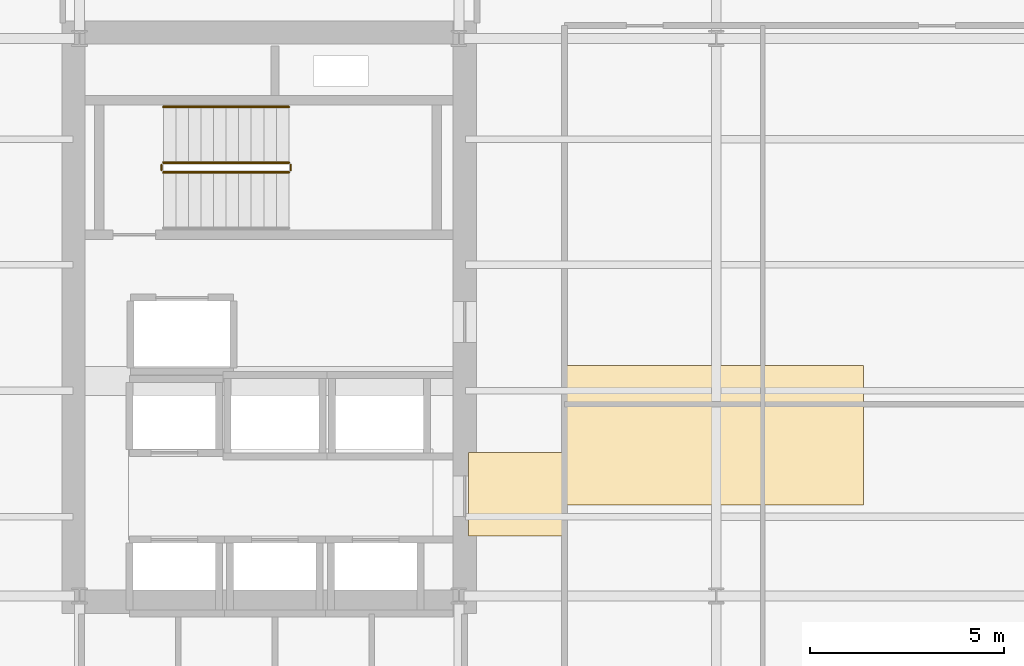
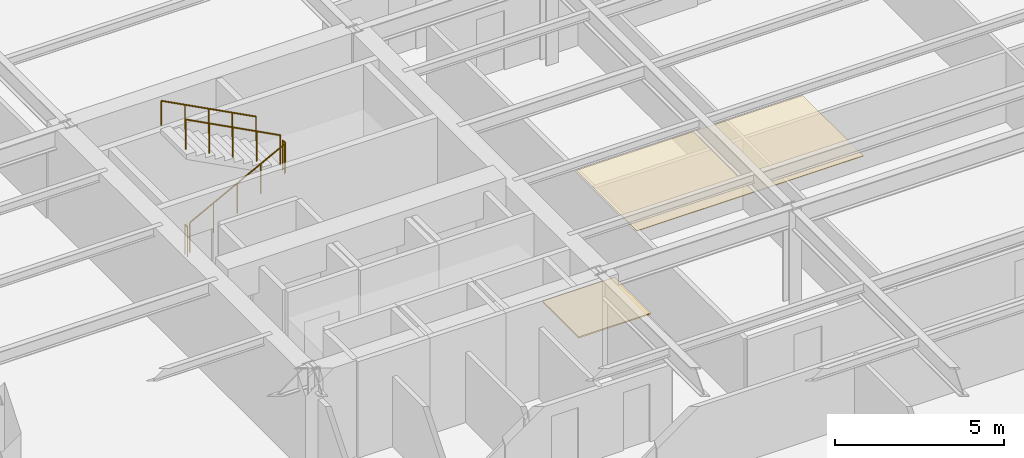
# One storey, part 9 of 12: 5 railings, 2 coverings.
"""IFC4 building model written with IfcOpenShell, lengths in metres."""

import ifcopenshell
import ifcopenshell.guid

model = None  # the IFC model being written
_history = None  # IfcOwnerHistory: only IFC2X3 demands one
_inside = {}  # id of a spatial element -> (the spatial element, [elements in it])
_under = {}  # id of a project, library or spatial element -> (it, [spatial elements below it])
_declared = {}  # id of a project -> (the project, [libraries it declares])
_typed = {}  # id of a type object -> (the type object, [elements of that type])
_made_of = {}  # id of a material, layer set ... -> (it, [elements and type objects made of it])


def new_model(schema):
    """Start an empty IFC model of exactly this schema.

    Asked for "IFC4X3", IfcOpenShell would pick the latest addendum, in which some entities
    have other attributes; the version numbers below select the first issue.
    IFC2X3 requires an IfcOwnerHistory on every rooted entity: one is made here for all.
    """
    global model, _history
    if schema == "IFC4X3":
        model = ifcopenshell.file(schema_version=(4, 3, 0, 0))
    else:
        model = ifcopenshell.file(schema=schema)
    _inside.clear()
    _under.clear()
    _declared.clear()
    _typed.clear()
    _made_of.clear()
    _history = None
    if model.schema == "IFC2X3":
        org = make("IfcOrganization", Name="unknown")
        user = make(
            "IfcPersonAndOrganization",
            ThePerson=make("IfcPerson", FamilyName="unknown"),
            TheOrganization=org,
        )
        app = make(
            "IfcApplication",
            ApplicationDeveloper=org,
            Version="unknown",
            ApplicationFullName="unknown",
            ApplicationIdentifier="unknown",
        )
        _history = make(
            "IfcOwnerHistory",
            OwningUser=user,
            OwningApplication=app,
            ChangeAction="ADDED",
            CreationDate=0,
        )
    return model


def make(cls, **values):
    """One entity of the class cls with the attributes given. An attribute that is None is left unset."""
    return model.create_entity(
        cls, **{name: value for name, value in values.items() if value is not None}
    )


def rooted(cls, **values):
    """An entity with a GlobalId (a new one), such as an element, a storey or a relation."""
    return make(cls, GlobalId=ifcopenshell.guid.new(), OwnerHistory=_history, **values)


def si_unit(unit_type, name, prefix=None):
    """IfcSIUnit, for example si_unit("LENGTHUNIT", "METRE", prefix="MILLI")."""
    return make("IfcSIUnit", UnitType=unit_type, Prefix=prefix, Name=name)


def assignment(units):
    """IfcUnitAssignment: the units of a project."""
    return None if units is None else make("IfcUnitAssignment", Units=units)


def point(xyz):
    """IfcCartesianPoint."""
    return None if xyz is None else make("IfcCartesianPoint", Coordinates=xyz)


def direction(xyz):
    """IfcDirection."""
    return None if xyz is None else make("IfcDirection", DirectionRatios=xyz)


def frame(location, z_axis=None, x_axis=None):
    """IfcAxis2Placement3D, a coordinate frame: its origin and axes. An axis left out is left unset."""
    return make(
        "IfcAxis2Placement3D",
        Location=point(location),
        Axis=direction(z_axis),
        RefDirection=direction(x_axis),
    )


def frame_2d(location, x_axis=None):
    """IfcAxis2Placement2D, a coordinate frame in the plane: its origin and x axis."""
    return make(
        "IfcAxis2Placement2D", Location=point(location), RefDirection=direction(x_axis)
    )


def origin():
    """The frame at (0, 0, 0) with its axes left unset."""
    return frame((0.0, 0.0, 0.0))


def origin_2d():
    """The frame at (0, 0) in the plane with its x axis left unset."""
    return frame_2d((0.0, 0.0))


def place(relative_to, where):
    """IfcLocalPlacement: puts the frame where relative to a parent placement (None: the world)."""
    return make(
        "IfcLocalPlacement", PlacementRelTo=relative_to, RelativePlacement=where
    )


def context(
    kind, dimensions, precision=None, world=None, true_north=None, identifier=None
):
    """IfcGeometricRepresentationContext, for example the 3D "Model" context."""
    return make(
        "IfcGeometricRepresentationContext",
        ContextIdentifier=identifier,
        ContextType=kind,
        CoordinateSpaceDimension=dimensions,
        Precision=precision,
        WorldCoordinateSystem=world,
        TrueNorth=true_north,
    )


def subcontext(parent, identifier, kind, view, scale=None):
    """IfcGeometricRepresentationSubContext, for example "Body" below "Model"."""
    return make(
        "IfcGeometricRepresentationSubContext",
        ContextIdentifier=identifier,
        ContextType=kind,
        ParentContext=parent,
        TargetScale=scale,
        TargetView=view,
    )


def project(units=None, contexts=None):
    """IfcProject with its units and contexts."""
    return rooted(
        "IfcProject",
        Name="project",
        RepresentationContexts=contexts,
        UnitsInContext=assignment(units),
    )


def spatial(cls, under=None, at=None, **own):
    """A site, building, storey or space (cls), placed at a placement, below another one or the project."""
    s = rooted(cls, ObjectPlacement=at, **own)
    if under is not None:
        _under.setdefault(under.id(), (under, []))[1].append(s)
    return s


def polyline(points):
    """IfcPolyline through the points."""
    return make("IfcPolyline", Points=[point(p) for p in points])


def profile(cls, at=None, kind="AREA", **sizes):
    """A parametric profile (cls). Its sizes go by their IFC names, for example OverallWidth=200.0."""
    return make(cls, ProfileType=kind, Position=at, **sizes)


def circle(**sizes):
    """IfcCircleProfileDef."""
    return profile("IfcCircleProfileDef", **sizes)


def outline(outer, holes=None, kind="AREA"):
    """IfcArbitraryClosedProfileDef: a profile drawn as a closed curve; with holes, ...WithVoids."""
    if holes is None:
        return make("IfcArbitraryClosedProfileDef", ProfileType=kind, OuterCurve=outer)
    return make(
        "IfcArbitraryProfileDefWithVoids",
        ProfileType=kind,
        OuterCurve=outer,
        InnerCurves=holes,
    )


def extrude(swept, where, along, depth):
    """IfcExtrudedAreaSolid: the profile swept, set in the frame where, extruded along a direction by depth."""
    return make(
        "IfcExtrudedAreaSolid",
        SweptArea=swept,
        Position=where,
        ExtrudedDirection=direction(along),
        Depth=depth,
    )


def shape(context_of_items, identifier, shape_type, items):
    """IfcShapeRepresentation: the items that make up one representation, for example the "Body"."""
    return make(
        "IfcShapeRepresentation",
        ContextOfItems=context_of_items,
        RepresentationIdentifier=identifier,
        RepresentationType=shape_type,
        Items=items,
    )


def material(Name=None, Category=None):
    """IfcMaterial."""
    return make("IfcMaterial", Name=Name, Category=Category)


def layer(
    of_material, thickness, ventilated=None, Name=None, Category=None, Priority=None
):
    """IfcMaterialLayer: one layer of a wall or slab, of a material (None: an air gap)."""
    return make(
        "IfcMaterialLayer",
        Material=of_material,
        LayerThickness=thickness,
        IsVentilated=ventilated,
        Name=Name,
        Category=Category,
        Priority=Priority,
    )


def layer_set(layers, Name=None):
    """IfcMaterialLayerSet."""
    return make("IfcMaterialLayerSet", MaterialLayers=layers, LayerSetName=Name)


def made_of(thing, what):
    """Note that an element or type object is made of a material, layer set ...; save() writes the relation."""
    if what is not None:
        _made_of.setdefault(what.id(), (what, []))[1].append(thing)
    return thing


def type_object(cls, material=None, **own):
    """A type object (cls), such as IfcWallType, which elements share."""
    return made_of(rooted(cls, **own), material)


def element(
    cls,
    number,
    at=None,
    inside=None,
    cuts=None,
    type_object=None,
    material=None,
    context=None,
    identifier="Body",
    shape_type=None,
    held_by="IfcProductDefinitionShape",
    body=None,
    shapes=None,
    **own,
):
    """One element of the class cls, such as IfcWall. Its Tag is "e" and its number.

    at: its placement. inside: the storey or other place that contains it. cuts: it is an
    opening in that element (IfcRelVoidsElement). A single representation is given by context,
    identifier, shape_type and body (its items); several are given by shapes. held_by: the class
    of the entity that holds the representations. save() writes the other relations.
    """
    e = rooted(cls, Tag="e%d" % number, ObjectPlacement=at, **own)
    if body is not None:
        shapes = [shape(context, identifier, shape_type, body)]
    if shapes is not None:
        e.Representation = make(held_by, Representations=shapes)
    if inside is not None:
        _inside.setdefault(inside.id(), (inside, []))[1].append(e)
    if cuts is not None:
        rooted(
            "IfcRelVoidsElement", RelatingBuildingElement=cuts, RelatedOpeningElement=e
        )
    if type_object is not None:
        _typed.setdefault(type_object.id(), (type_object, []))[1].append(e)
    return made_of(e, material)


def aggregate(whole, parts):
    """IfcRelAggregates: a whole, such as a stair, and the parts it consists of."""
    return rooted("IfcRelAggregates", RelatingObject=whole, RelatedObjects=parts)


def save(model, path):
    """Write the relations noted so far, then the file.

    IfcRelAggregates (storeys below a building ...), IfcRelContainedInSpatialStructure (elements
    in a storey), IfcRelDefinesByType, IfcRelAssociatesMaterial and IfcRelDeclares: one each for
    every whole, place, type object, material and project.
    """
    for whole, parts in _under.values():
        aggregate(whole, parts)
    for where, things in _inside.values():
        rooted(
            "IfcRelContainedInSpatialStructure",
            RelatedElements=things,
            RelatingStructure=where,
        )
    for kind, things in _typed.values():
        rooted("IfcRelDefinesByType", RelatedObjects=things, RelatingType=kind)
    for what, things in _made_of.values():
        rooted("IfcRelAssociatesMaterial", RelatedObjects=things, RelatingMaterial=what)
    for by, libraries in _declared.values():
        rooted("IfcRelDeclares", RelatingContext=by, RelatedDefinitions=libraries)
    model.write(path)


model = new_model("IFC4")

# Units and contexts
model_context = context("Model", 3, precision=1e-05, world=origin(), true_north=direction((0.0, 1.0)))
body_context = subcontext(model_context, "Body", "Model", "MODEL_VIEW")
ifc_project = project(units=[si_unit("LENGTHUNIT", "METRE"), si_unit("AREAUNIT", "SQUARE_METRE"), si_unit("VOLUMEUNIT", "CUBIC_METRE"), si_unit("PLANEANGLEUNIT", "RADIAN"), si_unit("MASSUNIT", "GRAM", prefix="KILO")], contexts=[model_context])

# Site, building, storey
site_placement = place(None, origin())
site = spatial("IfcSite", under=ifc_project, at=site_placement, CompositionType="ELEMENT")
building_placement = place(site_placement, origin())
building = spatial("IfcBuilding", under=site, at=building_placement, Name="Kolvaren Arena Tower", CompositionType="ELEMENT")
storey_placement = place(building_placement, frame((0.0, 0.0, 188.449951171875)))
storey = spatial("IfcBuildingStorey", under=building, at=storey_placement, Name="L45", CompositionType="ELEMENT", Elevation=188.449951171875)

# Coverings
ifc_material_1 = material(Name="Mineral fibre acoustic ceiling tile", Category="gypsum")
ifc_layer_1 = layer(ifc_material_1, 0.02490234375)
ifc_layer_set_1 = layer_set([ifc_layer_1], Name="Mineral fibre acoustic ceiling tile")
covering_type_1 = type_object("IfcCoveringType", Name="CEIL-ACT-1", PredefinedType="CEILING", material=ifc_layer_set_1)
covering_1_placement = place(storey_placement, frame((0.0, 0.0, 2.52001953125)))
element("IfcCovering", 1, at=covering_1_placement, inside=storey, type_object=covering_type_1, Name="Suspended Ceiling (L45)", PredefinedType="CEILING", context=body_context, shape_type="SweptSolid", body=[
    extrude(outline(polyline([(27.050048828125, 21.800048828125), (27.050048828125, 25.39990234375), (34.800048828125, 25.39990234375), (34.800048828125, 21.800048828125), (27.050048828125, 21.800048828125)])), origin(), (0.0, 0.0, 1.0), 0.025146484375),
])
ifc_material_2 = material(Name="Raised access office floor finish", Category="aluminium")
ifc_layer_2 = layer(ifc_material_2, 0.044921875)
ifc_layer_set_2 = layer_set([ifc_layer_2], Name="Raised access office floor finish")
covering_type_2 = type_object("IfcCoveringType", Name="FLOR-RAF-1", PredefinedType="FLOORING", material=ifc_layer_set_2)
covering_2_placement = place(storey_placement, origin())
element("IfcCovering", 2, at=covering_2_placement, inside=storey, type_object=covering_type_2, Name="Floor Finish (L45)", PredefinedType="FLOORING", context=body_context, shape_type="SweptSolid", body=[
    extrude(outline(polyline([(24.60009765625, 21.0), (24.60009765625, 23.14990234375), (27.080078125, 23.14990234375), (27.080078125, 21.0), (24.60009765625, 21.0)])), origin(), (0.0, 0.0, 1.0), 0.045166015625),
])

# Railings
ifc_material_3 = material(Name="Painted galvanized steel", Category="steel")
railing_type_1 = type_object("IfcRailingType", Name="GUARD-ST-110", PredefinedType="GUARDRAIL", material=ifc_material_3)
railing_1_placement = place(storey_placement, frame((16.719970703125, 30.389892578125, 0.17041015625)))
element("IfcRailing", 3, at=railing_1_placement, inside=storey, type_object=railing_type_1, Name="L45 ST-W1 stair guard 1", PredefinedType="GUARDRAIL", context=body_context, shape_type="SweptSolid", body=[
    extrude(circle(Radius=0.02392578125, at=origin_2d()), frame((0.0, 0.0, 1.076171875), z_axis=(0.884993431791, 0.0, 0.465603506952), x_axis=(0.0, 1.0, 0.0)), (0.0, 0.0, 1.0), 3.6611328125),
    extrude(circle(Radius=0.02099609375, at=origin_2d()), origin(), (0.0, 0.0, 1.0), 1.052001953125),
    extrude(circle(Radius=0.02099609375, at=origin_2d()), frame((0.81005859375, 0.0, 0.42626953125)), (0.0, 0.0, 1.0), 1.052001953125),
    extrude(circle(Radius=0.02099609375, at=origin_2d()), frame((1.6201171875, 0.0, 0.852294921875)), (0.0, 0.0, 1.0), 1.052001953125),
    extrude(circle(Radius=0.02099609375, at=origin_2d()), frame((2.429931640625, 0.0, 1.2783203125)), (0.0, 0.0, 1.0), 1.052001953125),
    extrude(circle(Radius=0.02099609375, at=origin_2d()), frame((3.239990234375, 0.0, 1.70458984375)), (0.0, 0.0, 1.0), 1.052001953125),
])
railing_2_placement = place(storey_placement, frame((20.010009765625, 30.43994140625, 1.875)))
element("IfcRailing", 4, at=railing_2_placement, inside=storey, type_object=railing_type_1, Name="L45 ST-W1 stair guard 2", PredefinedType="GUARDRAIL", context=body_context, shape_type="SweptSolid", body=[
    extrude(circle(Radius=0.02392578125, at=origin_2d()), frame((0.0, 0.0, 1.076171875), z_axis=(0.0, 1.0, 0.0), x_axis=(-1.0, 0.0, 0.0)), (0.0, 0.0, 1.0), 0.150146484375),
    extrude(circle(Radius=0.02099609375, at=origin_2d()), origin(), (0.0, 0.0, 1.0), 1.052001953125),
    extrude(circle(Radius=0.02099609375, at=origin_2d()), frame((0.0, 0.150146484375, 0.0)), (0.0, 0.0, 1.0), 1.052001953125),
])
railing_3_placement = place(storey_placement, frame((19.9599609375, 30.639892578125, 2.04541015625)))
element("IfcRailing", 5, at=railing_3_placement, inside=storey, type_object=railing_type_1, Name="L45 ST-W1 stair guard 3", PredefinedType="GUARDRAIL", context=body_context, shape_type="SweptSolid", body=[
    extrude(circle(Radius=0.02392578125, at=origin_2d()), frame((0.0, 0.0, 1.076171875), z_axis=(-0.884993431791, 0.0, 0.465603506952), x_axis=(0.0, -1.0, 0.0)), (0.0, 0.0, 1.0), 3.6611328125),
    extrude(circle(Radius=0.02099609375, at=origin_2d()), origin(), (0.0, 0.0, 1.0), 1.052001953125),
    extrude(circle(Radius=0.02099609375, at=origin_2d()), frame((-0.81005859375, 0.0, 0.42626953125)), (0.0, 0.0, 1.0), 1.052001953125),
    extrude(circle(Radius=0.02099609375, at=origin_2d()), frame((-1.6201171875, 0.0, 0.852294921875)), (0.0, 0.0, 1.0), 1.052001953125),
    extrude(circle(Radius=0.02099609375, at=origin_2d()), frame((-2.429931640625, 0.0, 1.2783203125)), (0.0, 0.0, 1.0), 1.052001953125),
    extrude(circle(Radius=0.02099609375, at=origin_2d()), frame((-3.239990234375, 0.0, 1.70458984375)), (0.0, 0.0, 1.0), 1.052001953125),
])
railing_4_placement = place(storey_placement, frame((16.669921875, 30.43994140625, 0.0)))
element("IfcRailing", 6, at=railing_4_placement, inside=storey, type_object=railing_type_1, Name="L45 ST-W1 stair guard 4", PredefinedType="GUARDRAIL", context=body_context, shape_type="SweptSolid", body=[
    extrude(circle(Radius=0.02392578125, at=origin_2d()), frame((0.0, 0.0, 1.076171875), z_axis=(0.0, 1.0, 0.0), x_axis=(-1.0, 0.0, 0.0)), (0.0, 0.0, 1.0), 0.150146484375),
    extrude(circle(Radius=0.02099609375, at=origin_2d()), origin(), (0.0, 0.0, 1.0), 1.052001953125),
    extrude(circle(Radius=0.02099609375, at=origin_2d()), frame((0.0, 0.150146484375, 0.0)), (0.0, 0.0, 1.0), 1.052001953125),
])
ifc_material_4 = material(Name="Brushed stainless steel handrail", Category="steel")
railing_type_2 = type_object("IfcRailingType", Name="HRAIL-900", PredefinedType="HANDRAIL", material=ifc_material_4)
railing_5_placement = place(storey_placement, frame((19.9599609375, 32.080078125, 2.04541015625)))
element("IfcRailing", 7, at=railing_5_placement, inside=storey, type_object=railing_type_2, Name="L45 ST-W1 stair handrail 2", PredefinedType="HANDRAIL", context=body_context, shape_type="SweptSolid", body=[
    extrude(circle(Radius=0.02392578125, at=origin_2d()), frame((0.0, 0.0, 0.8759765625), z_axis=(-0.884993431791, 0.0, 0.465603506952), x_axis=(0.0, -1.0, 0.0)), (0.0, 0.0, 1.0), 3.6611328125),
    extrude(circle(Radius=0.02099609375, at=origin_2d()), origin(), (0.0, 0.0, 1.0), 0.851806640625),
    extrude(circle(Radius=0.02099609375, at=origin_2d()), frame((-0.81005859375, 0.0, 0.42626953125)), (0.0, 0.0, 1.0), 0.851806640625),
    extrude(circle(Radius=0.02099609375, at=origin_2d()), frame((-1.6201171875, 0.0, 0.852294921875)), (0.0, 0.0, 1.0), 0.851806640625),
    extrude(circle(Radius=0.02099609375, at=origin_2d()), frame((-2.429931640625, 0.0, 1.2783203125)), (0.0, 0.0, 1.0), 0.851806640625),
    extrude(circle(Radius=0.02099609375, at=origin_2d()), frame((-3.239990234375, 0.0, 1.70458984375)), (0.0, 0.0, 1.0), 0.851806640625),
])

save(model, "model.ifc")
